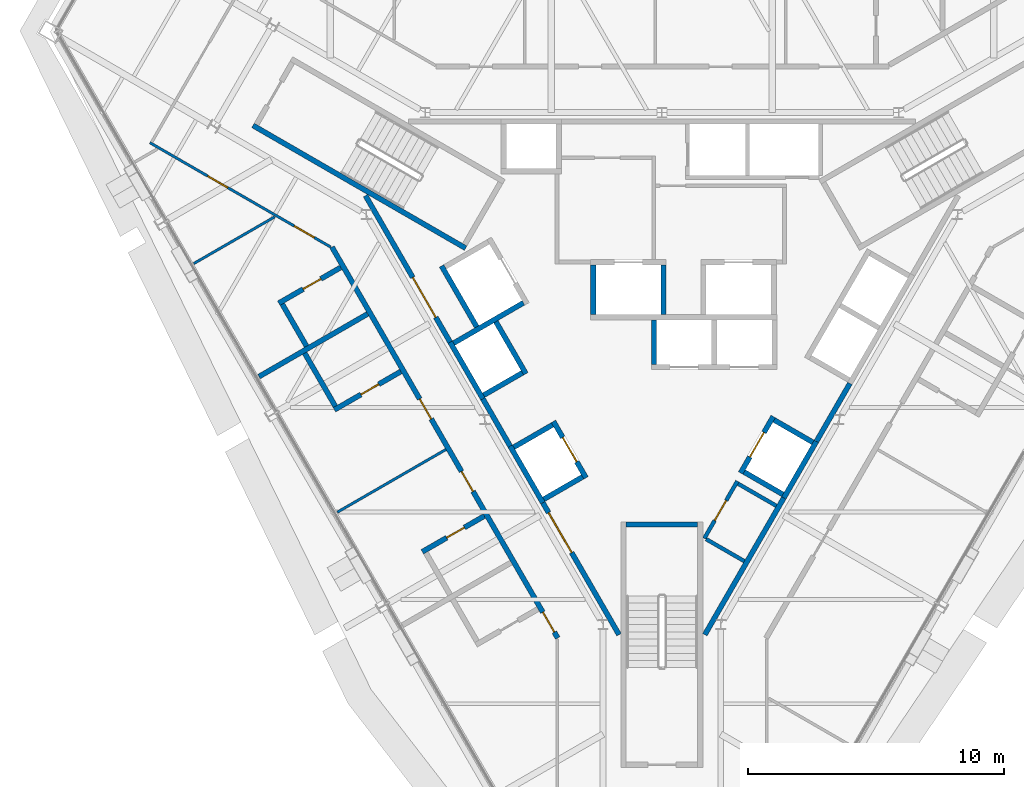
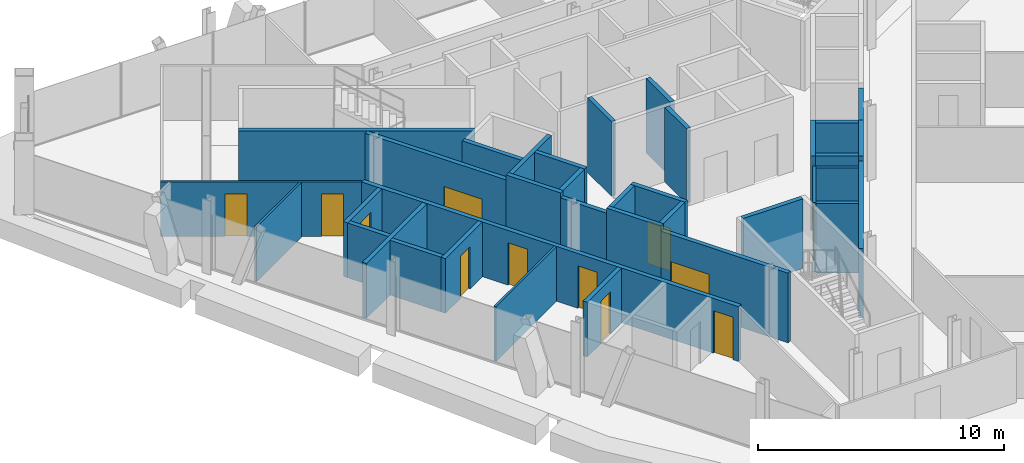
# One storey, part 9 of 13: 36 walls, 13 doors, 13 openings.
"""IFC4 building model written with IfcOpenShell, lengths in metres."""

from ifc_helpers import new_model, si_unit, direction, frame, frame_2d, origin, place, context, subcontext, project, spatial, rectangle, extrude, material, layer, layer_set, type_object, element, fill, save


model = new_model("IFC4")

# Units and contexts
model_context = context("Model", 3, precision=1e-05, world=origin(), true_north=direction((0.0, 1.0)))
body_context = subcontext(model_context, "Body", "Model", "MODEL_VIEW")
ifc_project = project(units=[si_unit("LENGTHUNIT", "METRE"), si_unit("AREAUNIT", "SQUARE_METRE"), si_unit("VOLUMEUNIT", "CUBIC_METRE"), si_unit("PLANEANGLEUNIT", "RADIAN"), si_unit("MASSUNIT", "GRAM", prefix="KILO")], contexts=[model_context])

# Site, building, storey
site_placement = place(None, origin())
site = spatial("IfcSite", under=ifc_project, at=site_placement, CompositionType="ELEMENT")
building_placement = place(site_placement, origin())
building = spatial("IfcBuilding", under=site, at=building_placement, Name="Verrane Prism Tower", CompositionType="ELEMENT")
storey_placement = place(building_placement, frame((0.0, 0.0, 210.10009765625)))
storey = spatial("IfcBuildingStorey", under=building, at=storey_placement, Name="L52", CompositionType="ELEMENT", Elevation=210.10009765625)

# Wall, opening, door
ifc_material_1 = material(Name="Gypsum board partition", Category="other")
ifc_layer_1 = layer(ifc_material_1, 0.199951171875)
ifc_layer_set_1 = layer_set([ifc_layer_1], Name="CW-200 core boundary wall 2 h")
wall_type_1 = type_object("IfcWallType", Name="CW-200 core boundary wall 2 h", PredefinedType="PARTITIONING", material=ifc_layer_set_1)
wall_1_placement = place(storey_placement, frame((-11.590576171875, 4.7548828125, 0.0), z_axis=(0.0, 0.0, 1.0), x_axis=(0.500043977787, -0.866000011708, 0.0)))
wall_1 = element("IfcWall", 1, at=wall_1_placement, inside=storey, type_object=wall_type_1, Name="Core boundary wall CW3-001", PredefinedType="PARTITIONING", context=body_context, shape_type="SweptSolid", body=[
    extrude(rectangle(XDim=6.61669921875, YDim=0.199951171875, at=frame_2d((3.308349609375, 0.0))), origin(), (0.0, 0.0, 1.0), 3.449951171875),
])
opening_1_placement = place(wall_1_placement, frame((3.695068359375, 0.0, 0.0)))
opening_1 = element("IfcOpeningElement", 2, at=opening_1_placement, cuts=wall_1, Name="Opening D51510", PredefinedType="OPENING", context=body_context, shape_type="SweptSolid", body=[
    extrude(rectangle(XDim=1.800048828125, YDim=2.10009765625, at=frame_2d((0.89990234375, 1.050048828125))), frame((0.0, 0.10986328125, 0.0), z_axis=(0.0, -1.0, 0.0), x_axis=(1.0, 0.0, 0.0)), (0.0, 0.0, 1.0), 0.219970703125),
])
ifc_material_2 = material(Name="Timber veneered door leaf", Category="wood")
door_type_1 = type_object("IfcDoorType", Name="DR-1800x2100 FD60 double leaf lift lobby", OperationType="NOTDEFINED", PredefinedType="DOOR", material=ifc_material_2)
door_1_placement = place(opening_1_placement, origin())
door_1 = element("IfcDoor", 3, at=door_1_placement, inside=storey, type_object=door_type_1, Name="Lift lobby door D51510", OperationType="DOUBLE_DOOR_SINGLE_SWING", OverallHeight=2.10009765625, OverallWidth=1.800048828125, PredefinedType="DOOR", context=body_context, shape_type="SweptSolid", body=[
    extrude(rectangle(XDim=1.800048828125, YDim=2.10009765625, at=frame_2d((0.89990234375, 1.050048828125))), frame((0.0, 0.02490234375, 0.0), z_axis=(0.0, -1.0, 0.0), x_axis=(1.0, 0.0, 0.0)), (0.0, 0.0, 1.0), 0.050048828125),
])
fill(opening_1, door_1)

# Wall
wall_2_placement = place(storey_placement, frame((-7.0048828125, -3.18701171875, 0.0), z_axis=(0.0, 0.0, 1.0), x_axis=(0.499689606989, -0.866204535123, 0.0)))
element("IfcWall", 4, at=wall_2_placement, inside=storey, type_object=wall_type_1, Name="Core boundary wall CW3-003", PredefinedType="PARTITIONING", context=body_context, shape_type="SweptSolid", body=[
    extrude(rectangle(XDim=2.144775390625, YDim=0.199951171875, at=frame_2d((1.072265625, 0.0))), origin(), (0.0, 0.0, 1.0), 3.449951171875),
])

# Wall, opening, door
wall_3_placement = place(storey_placement, frame((-4.655029296875, -7.257080078125, 0.0), z_axis=(0.0, 0.0, 1.0), x_axis=(0.499966124405, -0.866044960985, 0.0)))
wall_3 = element("IfcWall", 5, at=wall_3_placement, inside=storey, type_object=wall_type_1, Name="Core boundary wall CW3-004", PredefinedType="PARTITIONING", context=body_context, shape_type="SweptSolid", body=[
    extrude(rectangle(XDim=5.95556640625, YDim=0.199951171875, at=frame_2d((2.977783203125, 0.0))), origin(), (0.0, 0.0, 1.0), 3.449951171875),
])
opening_2_placement = place(wall_3_placement, frame((0.449951171875, 0.0, 0.0)))
opening_2 = element("IfcOpeningElement", 6, at=opening_2_placement, cuts=wall_3, Name="Opening D51511", PredefinedType="OPENING", context=body_context, shape_type="SweptSolid", body=[
    extrude(rectangle(XDim=1.800048828125, YDim=2.10009765625, at=frame_2d((0.89990234375, 1.050048828125))), frame((0.0, 0.10986328125, 0.0), z_axis=(0.0, -1.0, 0.0), x_axis=(1.0, 0.0, 0.0)), (0.0, 0.0, 1.0), 0.219970703125),
])
door_2_placement = place(opening_2_placement, origin())
door_2 = element("IfcDoor", 7, at=door_2_placement, inside=storey, type_object=door_type_1, Name="Lift lobby door D51511", OperationType="DOUBLE_DOOR_SINGLE_SWING", OverallHeight=2.10009765625, OverallWidth=1.800048828125, PredefinedType="DOOR", context=body_context, shape_type="SweptSolid", body=[
    extrude(rectangle(XDim=1.800048828125, YDim=2.10009765625, at=frame_2d((0.89990234375, 1.050048828125))), frame((0.0, 0.02490234375, 0.0), z_axis=(0.0, -1.0, 0.0), x_axis=(1.0, 0.0, 0.0)), (0.0, 0.0, 1.0), 0.050048828125),
])
fill(opening_2, door_2)

# Walls
wall_4_placement = place(storey_placement, frame((1.677490234375, -12.414794921875, 0.0), z_axis=(0.0, 0.0, 1.0), x_axis=(0.500054337157, 0.865994029939, 0.0)))
element("IfcWall", 8, at=wall_4_placement, inside=storey, type_object=wall_type_1, Name="Core boundary wall CW3-006", PredefinedType="PARTITIONING", context=body_context, shape_type="SweptSolid", body=[
    extrude(rectangle(XDim=6.176513671875, YDim=0.199951171875, at=frame_2d((3.08837890625, 0.0))), origin(), (0.0, 0.0, 1.0), 3.449951171875),
])
wall_5_placement = place(storey_placement, frame((6.0419921875, -4.85498046875, 0.0), z_axis=(0.0, 0.0, 1.0), x_axis=(0.500252727967, 0.865879442048, 0.0)))
element("IfcWall", 9, at=wall_5_placement, inside=storey, type_object=wall_type_1, Name="Core boundary wall CW3-007", PredefinedType="PARTITIONING", context=body_context, shape_type="SweptSolid", body=[
    extrude(rectangle(XDim=2.616943359375, YDim=0.199951171875, at=frame_2d((1.30859375, 0.0))), origin(), (0.0, 0.0, 1.0), 3.449951171875),
])
ifc_material_3 = material(Name="Concrete C40/50", Category="concrete")
ifc_layer_2 = layer(ifc_material_3, 0.199951171875)
ifc_layer_set_2 = layer_set([ifc_layer_2], Name="CW-200 stair core wall concrete C40/50 3 h")
wall_type_2 = type_object("IfcWallType", Name="CW-200 stair core wall concrete C40/50 3 h", PredefinedType="PARTITIONING", material=ifc_layer_set_2)
wall_6_placement = place(storey_placement, frame((-7.67822265625, 2.700927734375, 0.0), z_axis=(0.0, 0.0, 1.0), x_axis=(-0.866019993635, 0.500009370536, 0.0)))
element("IfcWall", 10, at=wall_6_placement, inside=storey, type_object=wall_type_2, Name="Stair 2 enclosure wall", PredefinedType="PARTITIONING", context=body_context, shape_type="SweptSolid", body=[
    extrude(rectangle(XDim=9.599853515625, YDim=0.199951171875, at=frame_2d((4.7998046875, 0.0))), origin(), (0.0, 0.0, 1.0), 3.449951171875),
])
wall_7_placement = place(storey_placement, frame((-1.39990234375, -8.10009765625, 0.0), z_axis=(0.0, 0.0, 1.0), x_axis=(1.0, 0.0, 0.0)))
element("IfcWall", 11, at=wall_7_placement, inside=storey, type_object=wall_type_2, Name="Stair 3 enclosure wall", PredefinedType="PARTITIONING", context=body_context, shape_type="SweptSolid", body=[
    extrude(rectangle(XDim=2.7998046875, YDim=0.199951171875, at=frame_2d((1.39990234375, 0.0))), origin(), (0.0, 0.0, 1.0), 3.449951171875),
])
ifc_material_4 = material(Name="Gypsum board shaft wall assembly", Category="other")
ifc_layer_3 = layer(ifc_material_4, 0.199951171875)
ifc_layer_set_3 = layer_set([ifc_layer_3], Name="HW-200 lift shaft wall 2 h")
wall_type_3 = type_object("IfcWallType", Name="HW-200 lift shaft wall 2 h", PredefinedType="PARTITIONING", material=ifc_layer_set_3)
for number, where, z_axis, x_axis, name in (
    (12, (-4.61962890625, -7.118408203125, 0.0), (0.0, 0.0, 1.0), (0.866036909293, 0.499980071345, 0.0), "Lift shaft wall"),
    (13, (-5.794677734375, -5.083251953125, 0.0), (0.0, 0.0, 1.0), (0.866036909293, 0.499980071345, 0.0), "Lift shaft wall"),
    (14, (-6.9697265625, -3.048095703125, 0.0), (0.0, 0.0, 1.0), (0.866036909293, 0.499980071345, 0.0), "Lift shaft wall"),
):
    element("IfcWall", number, at=place(storey_placement, frame(where, z_axis=z_axis, x_axis=x_axis)), inside=storey, type_object=wall_type_3, Name=name, PredefinedType="PARTITIONING", context=body_context, shape_type="SweptSolid", body=[
        extrude(rectangle(XDim=1.75, YDim=0.199951171875, at=frame_2d((0.875, 0.0))), origin(), (0.0, 0.0, 1.0), 3.699951171875),
    ])
wall_8_placement = place(storey_placement, frame((-8.14453125, -1.012939453125, 0.0), z_axis=(0.0, 0.0, 1.0), x_axis=(0.866016494683, 0.500015430699, 0.0)))
element("IfcWall", 15, at=wall_8_placement, inside=storey, type_object=wall_type_3, Name="Lift shaft wall", PredefinedType="PARTITIONING", context=body_context, shape_type="SweptSolid", body=[
    extrude(rectangle(XDim=3.14990234375, YDim=0.199951171875, at=frame_2d((1.574951171875, 0.0))), origin(), (0.0, 0.0, 1.0), 3.699951171875),
])
wall_9_placement = place(storey_placement, frame((4.766357421875, -7.064697265625, 0.0), z_axis=(0.0, 0.0, 1.0), x_axis=(0.499948979701, 0.866054858364, 0.0)))
element("IfcWall", 16, at=wall_9_placement, inside=storey, type_object=wall_type_3, Name="Lift shaft wall", PredefinedType="PARTITIONING", context=body_context, shape_type="SweptSolid", body=[
    extrude(rectangle(XDim=2.550048828125, YDim=0.199951171875, at=frame_2d((1.27490234375, 0.0))), origin(), (0.0, 0.0, 1.0), 3.699951171875),
])

# Wall, opening, door
wall_10_placement = place(storey_placement, frame((3.077392578125, -6.089599609375, 0.0), z_axis=(0.0, 0.0, 1.0), x_axis=(0.500062241894, 0.865989465428, 0.0)))
wall_10 = element("IfcWall", 17, at=wall_10_placement, inside=storey, type_object=wall_type_3, Name="Lift shaft wall", PredefinedType="PARTITIONING", context=body_context, shape_type="SweptSolid", body=[
    extrude(rectangle(XDim=2.550048828125, YDim=0.199951171875, at=frame_2d((1.27490234375, 0.0))), origin(), (0.0, 0.0, 1.0), 3.699951171875),
])
opening_3_placement = place(wall_10_placement, frame((0.72509765625, 0.0, 0.0)))
opening_3 = element("IfcOpeningElement", 18, at=opening_3_placement, cuts=wall_10, Name="Opening D51505", PredefinedType="OPENING", context=body_context, shape_type="SweptSolid", body=[
    extrude(rectangle(XDim=1.10009765625, YDim=2.10009765625, at=frame_2d((0.550048828125, 1.050048828125))), frame((0.0, 0.10986328125, 0.0), z_axis=(0.0, -1.0, 0.0), x_axis=(1.0, 0.0, 0.0)), (0.0, 0.0, 1.0), 0.219970703125),
])
ifc_material_5 = material(Name="Stainless steel sliding landing door", Category="steel")
door_type_2 = type_object("IfcDoorType", Name="LD-1100x2100 lift landing door FD90 sliding", OperationType="NOTDEFINED", PredefinedType="DOOR", material=ifc_material_5)
door_3_placement = place(opening_3_placement, origin())
door_3 = element("IfcDoor", 19, at=door_3_placement, inside=storey, type_object=door_type_2, Name="Bank B lift 3 landing door", OperationType="SLIDING_TO_LEFT", OverallHeight=2.10009765625, OverallWidth=1.10009765625, PredefinedType="DOOR", context=body_context, shape_type="SweptSolid", body=[
    extrude(rectangle(XDim=1.10009765625, YDim=2.10009765625, at=frame_2d((0.550048828125, 1.050048828125))), frame((0.0, 0.02490234375, 0.0), z_axis=(0.0, -1.0, 0.0), x_axis=(1.0, 0.0, 0.0)), (0.0, 0.0, 1.0), 0.050048828125),
])
fill(opening_3, door_3)

# Walls
wall_11_placement = place(storey_placement, frame((0.06494140625, 0.10009765625, 0.0), z_axis=(0.0, 0.0, 1.0), x_axis=(0.0, 1.0, 0.0)))
element("IfcWall", 20, at=wall_11_placement, inside=storey, type_object=wall_type_3, Name="Lift shaft wall", PredefinedType="PARTITIONING", context=body_context, shape_type="SweptSolid", body=[
    extrude(rectangle(XDim=1.949951171875, YDim=0.199951171875, at=frame_2d((0.97509765625, 0.0))), origin(), (0.0, 0.0, 1.0), 3.699951171875),
])
wall_12_placement = place(storey_placement, frame((-0.304931640625, -1.85009765625, 0.0), z_axis=(0.0, 0.0, 1.0), x_axis=(0.0, 1.0, 0.0)))
element("IfcWall", 21, at=wall_12_placement, inside=storey, type_object=wall_type_3, Name="Lift shaft wall", PredefinedType="PARTITIONING", context=body_context, shape_type="SweptSolid", body=[
    extrude(rectangle(XDim=1.75, YDim=0.199951171875, at=frame_2d((0.875, 0.0))), origin(), (0.0, 0.0, 1.0), 3.699951171875),
])
wall_13_placement = place(storey_placement, frame((-2.68505859375, 0.10009765625, 0.0), z_axis=(0.0, 0.0, 1.0), x_axis=(0.0, 1.0, 0.0)))
element("IfcWall", 22, at=wall_13_placement, inside=storey, type_object=wall_type_3, Name="Lift shaft wall", PredefinedType="PARTITIONING", context=body_context, shape_type="SweptSolid", body=[
    extrude(rectangle(XDim=1.949951171875, YDim=0.199951171875, at=frame_2d((0.97509765625, 0.0))), origin(), (0.0, 0.0, 1.0), 3.699951171875),
])

# Wall, opening, door
wall_14_placement = place(storey_placement, frame((-2.967529296875, -6.280029296875, 0.0), z_axis=(0.0, 0.0, 1.0), x_axis=(-0.499990435942, 0.866030925526, 0.0)))
wall_14 = element("IfcWall", 23, at=wall_14_placement, inside=storey, type_object=wall_type_3, Name="Lift shaft wall", PredefinedType="PARTITIONING", context=body_context, shape_type="SweptSolid", body=[
    extrude(rectangle(XDim=2.5498046875, YDim=0.199951171875, at=frame_2d((1.27490234375, 0.0))), origin(), (0.0, 0.0, 1.0), 3.699951171875),
])
opening_4_placement = place(wall_14_placement, frame((0.72509765625, 0.0, 0.0)))
opening_4 = element("IfcOpeningElement", 24, at=opening_4_placement, cuts=wall_14, Name="Opening D51506", PredefinedType="OPENING", context=body_context, shape_type="SweptSolid", body=[
    extrude(rectangle(XDim=1.10009765625, YDim=2.10009765625, at=frame_2d((0.550048828125, 1.050048828125))), frame((0.0, 0.10986328125, 0.0), z_axis=(0.0, -1.0, 0.0), x_axis=(1.0, 0.0, 0.0)), (0.0, 0.0, 1.0), 0.219970703125),
])
door_4_placement = place(opening_4_placement, origin())
door_4 = element("IfcDoor", 25, at=door_4_placement, inside=storey, type_object=door_type_2, Name="Bank B lift 4 landing door", OperationType="SLIDING_TO_RIGHT", OverallHeight=2.10009765625, OverallWidth=1.10009765625, PredefinedType="DOOR", context=body_context, shape_type="SweptSolid", body=[
    extrude(rectangle(XDim=1.10009765625, YDim=2.10009765625, at=frame_2d((0.550048828125, 1.050048828125))), frame((0.0, 0.02490234375, 0.0), z_axis=(0.0, -1.0, 0.0), x_axis=(1.0, 0.0, 0.0)), (0.0, 0.0, 1.0), 0.050048828125),
])
fill(opening_4, door_4)

# Walls
wall_15_placement = place(storey_placement, frame((-5.317626953125, -2.209716796875, 0.0), z_axis=(0.0, 0.0, 1.0), x_axis=(-0.499938297808, 0.866061024631, 0.0)))
element("IfcWall", 26, at=wall_15_placement, inside=storey, type_object=wall_type_3, Name="Lift shaft wall", PredefinedType="PARTITIONING", context=body_context, shape_type="SweptSolid", body=[
    extrude(rectangle(XDim=2.349853515625, YDim=0.199951171875, at=frame_2d((1.1748046875, 0.0))), origin(), (0.0, 0.0, 1.0), 3.699951171875),
])
wall_16_placement = place(storey_placement, frame((-7.241943359375, -0.37646484375, 0.0), z_axis=(0.0, 0.0, 1.0), x_axis=(-0.499996545922, 0.866027397988, 0.0)))
element("IfcWall", 27, at=wall_16_placement, inside=storey, type_object=wall_type_3, Name="Lift shaft wall", PredefinedType="PARTITIONING", context=body_context, shape_type="SweptSolid", body=[
    extrude(rectangle(XDim=2.75, YDim=0.199951171875, at=frame_2d((1.375, 0.0))), origin(), (0.0, 0.0, 1.0), 3.699951171875),
])
for number, where, z_axis, x_axis, name in (
    (28, (-4.65625, -7.255126953125, 0.0), (0.0, 0.0, 1.0), (-0.499990435942, 0.866030925526, 0.0), "Lift shaft wall"),
    (29, (-7.00634765625, -3.184814453125, 0.0), (0.0, 0.0, 1.0), (-0.499990435942, 0.866030925526, 0.0), "Lift shaft wall"),
):
    element("IfcWall", number, at=place(storey_placement, frame(where, z_axis=z_axis, x_axis=x_axis)), inside=storey, type_object=wall_type_3, Name=name, PredefinedType="PARTITIONING", context=body_context, shape_type="SweptSolid", body=[
        extrude(rectangle(XDim=2.5498046875, YDim=0.199951171875, at=frame_2d((1.27490234375, 0.0))), origin(), (0.0, 0.0, 1.0), 3.699951171875),
    ])
wall_17_placement = place(storey_placement, frame((5.904541015625, -4.892822265625, 0.0), z_axis=(0.0, 0.0, 1.0), x_axis=(-0.866002029911, 0.500040482552, 0.0)))
element("IfcWall", 30, at=wall_17_placement, inside=storey, type_object=wall_type_3, Name="Lift shaft wall", PredefinedType="PARTITIONING", context=body_context, shape_type="SweptSolid", body=[
    extrude(rectangle(XDim=1.749755859375, YDim=0.199951171875, at=frame_2d((0.875, 0.0))), origin(), (0.0, 0.0, 1.0), 3.699951171875),
])
wall_18_placement = place(storey_placement, frame((4.729736328125, -6.927978515625, 0.0), z_axis=(0.0, 0.0, 1.0), x_axis=(-0.866036909293, 0.499980071345, 0.0)))
element("IfcWall", 31, at=wall_18_placement, inside=storey, type_object=wall_type_3, Name="Lift shaft wall", PredefinedType="PARTITIONING", context=body_context, shape_type="SweptSolid", body=[
    extrude(rectangle(XDim=1.75, YDim=0.199951171875, at=frame_2d((0.875, 0.0))), origin(), (0.0, 0.0, 1.0), 3.699951171875),
])

# Wall, openings, doors
ifc_material_6 = material(Name="Gypsum board partition", Category="other")
ifc_layer_4 = layer(ifc_material_6, 0.10009765625)
ifc_layer_set_4 = layer_set([ifc_layer_4], Name="PW-100 room partition")
wall_type_4 = type_object("IfcWallType", Name="PW-100 room partition", PredefinedType="PARTITIONING", material=ifc_layer_set_4)
wall_19_placement = place(storey_placement, frame((-12.95166015625, 2.744384765625, 0.0), z_axis=(0.0, 0.0, 1.0), x_axis=(-0.86608949446, 0.499888975259, 0.0)))
wall_19 = element("IfcWall", 32, at=wall_19_placement, inside=storey, type_object=wall_type_4, Name="Room partition 003", PredefinedType="PARTITIONING", context=body_context, shape_type="SweptSolid", body=[
    extrude(rectangle(XDim=8.164794921875, YDim=0.10009765625, at=frame_2d((4.08251953125, 0.0))), origin(), (0.0, 0.0, 1.0), 2.712890625),
])
opening_5_placement = place(wall_19_placement, frame((4.64990234375, 0.0, 0.0)))
opening_5 = element("IfcOpeningElement", 33, at=opening_5_placement, cuts=wall_19, Name="Opening D51014", PredefinedType="OPENING", context=body_context, shape_type="SweptSolid", body=[
    extrude(rectangle(XDim=0.89990234375, YDim=2.10009765625, at=frame_2d((0.449951171875, 1.050048828125))), frame((0.0, 0.06005859375, 0.0), z_axis=(0.0, -1.0, 0.0), x_axis=(1.0, 0.0, 0.0)), (0.0, 0.0, 1.0), 0.1201171875),
])
opening_6_placement = place(wall_19_placement, frame((0.74609375, 0.0, 0.0)))
opening_6 = element("IfcOpeningElement", 34, at=opening_6_placement, cuts=wall_19, Name="Opening D51015", PredefinedType="OPENING", context=body_context, shape_type="SweptSolid", body=[
    extrude(rectangle(XDim=0.89990234375, YDim=2.10009765625, at=frame_2d((0.449951171875, 1.050048828125))), frame((0.0, 0.06005859375, 0.0), z_axis=(0.0, -1.0, 0.0), x_axis=(1.0, 0.0, 0.0)), (0.0, 0.0, 1.0), 0.1201171875),
])
ifc_material_7 = material(Name="Timber veneered door leaf", Category="wood")
door_type_3 = type_object("IfcDoorType", Name="DR-900x2100 single leaf inner", OperationType="NOTDEFINED", PredefinedType="DOOR", material=ifc_material_7)
door_5_placement = place(opening_6_placement, origin())
door_5 = element("IfcDoor", 35, at=door_5_placement, inside=storey, type_object=door_type_3, Name="Bedroom door", OperationType="SINGLE_SWING_RIGHT", OverallHeight=2.10009765625, OverallWidth=0.89990234375, PredefinedType="DOOR", context=body_context, shape_type="SweptSolid", body=[
    extrude(rectangle(XDim=0.89990234375, YDim=2.10009765625, at=frame_2d((0.449951171875, 1.050048828125))), frame((0.0, 0.02490234375, 0.0), z_axis=(0.0, -1.0, 0.0), x_axis=(1.0, 0.0, 0.0)), (0.0, 0.0, 1.0), 0.050048828125),
])
fill(opening_6, door_5)
ifc_material_8 = material(Name="Timber veneered door leaf", Category="wood")
door_type_4 = type_object("IfcDoorType", Name="DR-900x2100 single leaf unit", OperationType="NOTDEFINED", PredefinedType="DOOR", material=ifc_material_8)
door_6_placement = place(opening_5_placement, origin())
door_6 = element("IfcDoor", 36, at=door_6_placement, inside=storey, type_object=door_type_4, Name="Kitchen door", OperationType="SINGLE_SWING_LEFT", OverallHeight=2.10009765625, OverallWidth=0.89990234375, PredefinedType="DOOR", context=body_context, shape_type="SweptSolid", body=[
    extrude(rectangle(XDim=0.89990234375, YDim=2.10009765625, at=frame_2d((0.449951171875, 1.050048828125))), frame((0.0, 0.02490234375, 0.0), z_axis=(0.0, -1.0, 0.0), x_axis=(1.0, 0.0, 0.0)), (0.0, 0.0, 1.0), 0.050048828125),
])
fill(opening_5, door_6)

# Walls
wall_20_placement = place(storey_placement, frame((-18.3076171875, 2.09912109375, 0.0), z_axis=(0.0, 0.0, 1.0), x_axis=(0.866054218355, 0.499950088379, 0.0)))
element("IfcWall", 37, at=wall_20_placement, inside=storey, type_object=wall_type_4, Name="Room partition 004", PredefinedType="PARTITIONING", context=body_context, shape_type="SweptSolid", body=[
    extrude(rectangle(XDim=3.651611328125, YDim=0.10009765625, at=frame_2d((1.82568359375, 0.0))), origin(), (0.0, 0.0, 1.0), 2.712890625),
])
wall_21_placement = place(storey_placement, frame((-12.694091796875, -7.624267578125, 0.0), z_axis=(0.0, 0.0, 1.0), x_axis=(0.865991567799, 0.500058601068, 0.0)))
element("IfcWall", 38, at=wall_21_placement, inside=storey, type_object=wall_type_4, Name="Room partition 012", PredefinedType="PARTITIONING", context=body_context, shape_type="SweptSolid", body=[
    extrude(rectangle(XDim=4.90380859375, YDim=0.10009765625, at=frame_2d((2.451904296875, 0.0))), origin(), (0.0, 0.0, 1.0), 2.712890625),
])
ifc_material_9 = material(Name="Gypsum board partition", Category="other")
ifc_layer_5 = layer(ifc_material_9, 0.199951171875)
ifc_layer_set_5 = layer_set([ifc_layer_5], Name="PW-200 plumbing wall")
wall_type_5 = type_object("IfcWallType", Name="PW-200 plumbing wall", PredefinedType="PARTITIONING", material=ifc_layer_set_5)
wall_22_placement = place(storey_placement, frame((-15.755859375, -2.321044921875, 0.0), z_axis=(0.0, 0.0, 1.0), x_axis=(0.866042025588, 0.499971209087, 0.0)))
element("IfcWall", 39, at=wall_22_placement, inside=storey, type_object=wall_type_5, Name="Plumbing wall 006", PredefinedType="PARTITIONING", context=body_context, shape_type="SweptSolid", body=[
    extrude(rectangle(XDim=4.899169921875, YDim=0.199951171875, at=frame_2d((2.44970703125, 0.0))), origin(), (0.0, 0.0, 1.0), 2.712890625),
])
wall_23_placement = place(storey_placement, frame((-14.846923828125, 0.513427734375, 0.0), z_axis=(0.0, 0.0, 1.0), x_axis=(0.499911523785, -0.866076479525, 0.0)))
element("IfcWall", 40, at=wall_23_placement, inside=storey, type_object=wall_type_5, Name="Plumbing wall 007", PredefinedType="PARTITIONING", context=body_context, shape_type="SweptSolid", body=[
    extrude(rectangle(XDim=1.900146484375, YDim=0.199951171875, at=frame_2d((0.9501953125, 0.0))), origin(), (0.0, 0.0, 1.0), 2.712890625),
])

# Wall, opening, door
wall_24_placement = place(storey_placement, frame((-12.56298828125, 1.947509765625, 0.0), z_axis=(0.0, 0.0, 1.0), x_axis=(-0.866041588165, -0.499971966783, 0.0)))
wall_24 = element("IfcWall", 41, at=wall_24_placement, inside=storey, type_object=wall_type_5, Name="Plumbing wall 008", PredefinedType="PARTITIONING", context=body_context, shape_type="SweptSolid", body=[
    extrude(rectangle(XDim=2.795166015625, YDim=0.199951171875, at=frame_2d((1.3974609375, 0.0))), origin(), (0.0, 0.0, 1.0), 2.712890625),
])
opening_7_placement = place(wall_24_placement, frame((0.89501953125, 0.0, 0.0)))
opening_7 = element("IfcOpeningElement", 42, at=opening_7_placement, cuts=wall_24, Name="Opening D51016", PredefinedType="OPENING", context=body_context, shape_type="SweptSolid", body=[
    extrude(rectangle(XDim=0.800048828125, YDim=2.10009765625, at=frame_2d((0.39990234375, 1.050048828125))), frame((0.0, 0.10986328125, 0.0), z_axis=(0.0, -1.0, 0.0), x_axis=(1.0, 0.0, 0.0)), (0.0, 0.0, 1.0), 0.219970703125),
])
ifc_material_10 = material(Name="Timber veneered door leaf", Category="wood")
door_type_5 = type_object("IfcDoorType", Name="DR-800x2100 single leaf bath", OperationType="NOTDEFINED", PredefinedType="DOOR", material=ifc_material_10)
door_7_placement = place(opening_7_placement, origin())
door_7 = element("IfcDoor", 43, at=door_7_placement, inside=storey, type_object=door_type_5, Name="Bathroom door", OperationType="SINGLE_SWING_LEFT", OverallHeight=2.10009765625, OverallWidth=0.800048828125, PredefinedType="DOOR", context=body_context, shape_type="SweptSolid", body=[
    extrude(rectangle(XDim=0.800048828125, YDim=2.10009765625, at=frame_2d((0.39990234375, 1.050048828125))), frame((0.0, 0.02490234375, 0.0), z_axis=(0.0, -1.0, 0.0), x_axis=(1.0, 0.0, 0.0)), (0.0, 0.0, 1.0), 0.050048828125),
])
fill(opening_7, door_7)

# Wall
wall_25_placement = place(storey_placement, frame((-13.969970703125, -1.405517578125, 0.0), z_axis=(0.0, 0.0, 1.0), x_axis=(0.499784123135, -0.866150004481, 0.0)))
element("IfcWall", 44, at=wall_25_placement, inside=storey, type_object=wall_type_5, Name="Plumbing wall 009", PredefinedType="PARTITIONING", context=body_context, shape_type="SweptSolid", body=[
    extrude(rectangle(XDim=2.39892578125, YDim=0.199951171875, at=frame_2d((1.199462890625, 0.0))), origin(), (0.0, 0.0, 1.0), 2.712890625),
])

# Wall, openings, doors
wall_26_placement = place(storey_placement, frame((-4.074951171875, -12.54541015625, 0.0), z_axis=(0.0, 0.0, 1.0), x_axis=(-0.499999743747, 0.866025551732, 0.0)))
wall_26 = element("IfcWall", 45, at=wall_26_placement, inside=storey, type_object=wall_type_5, Name="Plumbing wall 010", PredefinedType="PARTITIONING", context=body_context, shape_type="SweptSolid", body=[
    extrude(rectangle(XDim=17.65625, YDim=0.199951171875, at=frame_2d((8.828125, 0.0))), origin(), (0.0, 0.0, 1.0), 2.712890625),
])
opening_8_placement = place(wall_26_placement, frame((9.89501953125, 0.0, 0.0)))
opening_8 = element("IfcOpeningElement", 46, at=opening_8_placement, cuts=wall_26, Name="Opening D51017", PredefinedType="OPENING", context=body_context, shape_type="SweptSolid", body=[
    extrude(rectangle(XDim=0.89990234375, YDim=2.10009765625, at=frame_2d((0.449951171875, 1.050048828125))), frame((0.0, 0.10986328125, 0.0), z_axis=(0.0, -1.0, 0.0), x_axis=(1.0, 0.0, 0.0)), (0.0, 0.0, 1.0), 0.219970703125),
])
opening_9_placement = place(wall_26_placement, frame((6.6220703125, 0.0, 0.0)))
opening_9 = element("IfcOpeningElement", 47, at=opening_9_placement, cuts=wall_26, Name="Opening D51019", PredefinedType="OPENING", context=body_context, shape_type="SweptSolid", body=[
    extrude(rectangle(XDim=0.89990234375, YDim=2.10009765625, at=frame_2d((0.449951171875, 1.050048828125))), frame((0.0, 0.10986328125, 0.0), z_axis=(0.0, -1.0, 0.0), x_axis=(1.0, 0.0, 0.0)), (0.0, 0.0, 1.0), 0.219970703125),
])
opening_10_placement = place(wall_26_placement, frame((0.26806640625, 0.0, 0.0)))
opening_10 = element("IfcOpeningElement", 48, at=opening_10_placement, cuts=wall_26, Name="Opening D51021", PredefinedType="OPENING", context=body_context, shape_type="SweptSolid", body=[
    extrude(rectangle(XDim=0.89990234375, YDim=2.10009765625, at=frame_2d((0.449951171875, 1.050048828125))), frame((0.0, 0.10986328125, 0.0), z_axis=(0.0, -1.0, 0.0), x_axis=(1.0, 0.0, 0.0)), (0.0, 0.0, 1.0), 0.219970703125),
])
door_8_placement = place(opening_8_placement, origin())
door_8 = element("IfcDoor", 49, at=door_8_placement, inside=storey, type_object=door_type_3, Name="Master Bedroom door", OperationType="SINGLE_SWING_RIGHT", OverallHeight=2.10009765625, OverallWidth=0.89990234375, PredefinedType="DOOR", context=body_context, shape_type="SweptSolid", body=[
    extrude(rectangle(XDim=0.89990234375, YDim=2.10009765625, at=frame_2d((0.449951171875, 1.050048828125))), frame((0.0, 0.02490234375, 0.0), z_axis=(0.0, -1.0, 0.0), x_axis=(1.0, 0.0, 0.0)), (0.0, 0.0, 1.0), 0.050048828125),
])
fill(opening_8, door_8)
door_9_placement = place(opening_9_placement, origin())
door_9 = element("IfcDoor", 50, at=door_9_placement, inside=storey, type_object=door_type_3, Name="Bedroom door", OperationType="SINGLE_SWING_RIGHT", OverallHeight=2.10009765625, OverallWidth=0.89990234375, PredefinedType="DOOR", context=body_context, shape_type="SweptSolid", body=[
    extrude(rectangle(XDim=0.89990234375, YDim=2.10009765625, at=frame_2d((0.449951171875, 1.050048828125))), frame((0.0, 0.02490234375, 0.0), z_axis=(0.0, -1.0, 0.0), x_axis=(1.0, 0.0, 0.0)), (0.0, 0.0, 1.0), 0.050048828125),
])
fill(opening_9, door_9)
door_10_placement = place(opening_10_placement, origin())
door_10 = element("IfcDoor", 51, at=door_10_placement, inside=storey, type_object=door_type_3, Name="Bedroom door", OperationType="SINGLE_SWING_RIGHT", OverallHeight=2.10009765625, OverallWidth=0.89990234375, PredefinedType="DOOR", context=body_context, shape_type="SweptSolid", body=[
    extrude(rectangle(XDim=0.89990234375, YDim=2.10009765625, at=frame_2d((0.449951171875, 1.050048828125))), frame((0.0, 0.02490234375, 0.0), z_axis=(0.0, -1.0, 0.0), x_axis=(1.0, 0.0, 0.0)), (0.0, 0.0, 1.0), 0.050048828125),
])
fill(opening_10, door_10)

# Wall, opening, door
wall_27_placement = place(storey_placement, frame((-12.8076171875, -3.619873046875, 0.0), z_axis=(0.0, 0.0, 1.0), x_axis=(0.866134024916, 0.499811815469, 0.0)))
wall_27 = element("IfcWall", 52, at=wall_27_placement, inside=storey, type_object=wall_type_5, Name="Plumbing wall 011", PredefinedType="PARTITIONING", context=body_context, shape_type="SweptSolid", body=[
    extrude(rectangle(XDim=2.995849609375, YDim=0.199951171875, at=frame_2d((1.498046875, 0.0))), origin(), (0.0, 0.0, 1.0), 2.712890625),
])
opening_11_placement = place(wall_27_placement, frame((1.199951171875, 0.0, 0.0)))
opening_11 = element("IfcOpeningElement", 53, at=opening_11_placement, cuts=wall_27, Name="Opening D51018", PredefinedType="OPENING", context=body_context, shape_type="SweptSolid", body=[
    extrude(rectangle(XDim=0.800048828125, YDim=2.10009765625, at=frame_2d((0.39990234375, 1.050048828125))), frame((0.0, 0.10986328125, 0.0), z_axis=(0.0, -1.0, 0.0), x_axis=(1.0, 0.0, 0.0)), (0.0, 0.0, 1.0), 0.219970703125),
])
door_11_placement = place(opening_11_placement, origin())
door_11 = element("IfcDoor", 54, at=door_11_placement, inside=storey, type_object=door_type_5, Name="Master Bathroom door", OperationType="SINGLE_SWING_RIGHT", OverallHeight=2.10009765625, OverallWidth=0.800048828125, PredefinedType="DOOR", context=body_context, shape_type="SweptSolid", body=[
    extrude(rectangle(XDim=0.800048828125, YDim=2.10009765625, at=frame_2d((0.39990234375, 1.050048828125))), frame((0.0, 0.02490234375, 0.0), z_axis=(0.0, -1.0, 0.0), x_axis=(1.0, 0.0, 0.0)), (0.0, 0.0, 1.0), 0.050048828125),
])
fill(opening_11, door_11)

wall_28_placement = place(storey_placement, frame((-6.949951171875, -7.775390625, 0.0), z_axis=(0.0, 0.0, 1.0), x_axis=(-0.866003766563, -0.500037474894, 0.0)))
wall_28 = element("IfcWall", 55, at=wall_28_placement, inside=storey, type_object=wall_type_5, Name="Plumbing wall 016", PredefinedType="PARTITIONING", context=body_context, shape_type="SweptSolid", body=[
    extrude(rectangle(XDim=2.795166015625, YDim=0.199951171875, at=frame_2d((1.3974609375, 0.0))), origin(), (0.0, 0.0, 1.0), 2.712890625),
])
opening_12_placement = place(wall_28_placement, frame((0.89501953125, 0.0, 0.0)))
opening_12 = element("IfcOpeningElement", 56, at=opening_12_placement, cuts=wall_28, Name="Opening D51020", PredefinedType="OPENING", context=body_context, shape_type="SweptSolid", body=[
    extrude(rectangle(XDim=0.800048828125, YDim=2.10009765625, at=frame_2d((0.39990234375, 1.050048828125))), frame((0.0, 0.10986328125, 0.0), z_axis=(0.0, -1.0, 0.0), x_axis=(1.0, 0.0, 0.0)), (0.0, 0.0, 1.0), 0.219970703125),
])
door_12_placement = place(opening_12_placement, origin())
door_12 = element("IfcDoor", 57, at=door_12_placement, inside=storey, type_object=door_type_5, Name="Bathroom door", OperationType="SINGLE_SWING_LEFT", OverallHeight=2.10009765625, OverallWidth=0.800048828125, PredefinedType="DOOR", context=body_context, shape_type="SweptSolid", body=[
    extrude(rectangle(XDim=0.800048828125, YDim=2.10009765625, at=frame_2d((0.39990234375, 1.050048828125))), frame((0.0, 0.02490234375, 0.0), z_axis=(0.0, -1.0, 0.0), x_axis=(1.0, 0.0, 0.0)), (0.0, 0.0, 1.0), 0.050048828125),
])
fill(opening_12, door_12)

ifc_material_11 = material(Name="Gypsum board partition", Category="other")
ifc_layer_6 = layer(ifc_material_11, 0.14990234375)
ifc_layer_set_6 = layer_set([ifc_layer_6], Name="RS-150 riser enclosure wall 1 h")
wall_type_6 = type_object("IfcWallType", Name="RS-150 riser enclosure wall 1 h", PredefinedType="PARTITIONING", material=ifc_layer_set_6)
wall_29_placement = place(storey_placement, frame((2.950439453125, -6.408935546875, 0.0), z_axis=(0.0, 0.0, 1.0), x_axis=(-0.499978610854, -0.866037752461, 0.0)))
wall_29 = element("IfcWall", 58, at=wall_29_placement, inside=storey, type_object=wall_type_6, Name="Riser wall RS3-003", PredefinedType="PARTITIONING", context=body_context, shape_type="SweptSolid", body=[
    extrude(rectangle(XDim=2.5849609375, YDim=0.14990234375, at=frame_2d((1.29248046875, 0.0))), origin(), (0.0, 0.0, 1.0), 3.449951171875),
])
opening_13_placement = place(wall_29_placement, frame((0.875, 0.0, 0.0)))
opening_13 = element("IfcOpeningElement", 59, at=opening_13_placement, cuts=wall_29, Name="Opening D51516", PredefinedType="OPENING", context=body_context, shape_type="SweptSolid", body=[
    extrude(rectangle(XDim=0.89990234375, YDim=2.10009765625, at=frame_2d((0.449951171875, 1.050048828125))), frame((0.0, 0.0849609375, 0.0), z_axis=(0.0, -1.0, 0.0), x_axis=(1.0, 0.0, 0.0)), (0.0, 0.0, 1.0), 0.169921875),
])
ifc_material_12 = material(Name="Timber veneered door leaf", Category="wood")
door_type_6 = type_object("IfcDoorType", Name="DR-900x2100 FD20 single leaf store", OperationType="NOTDEFINED", PredefinedType="DOOR", material=ifc_material_12)
door_13_placement = place(opening_13_placement, origin())
door_13 = element("IfcDoor", 60, at=door_13_placement, inside=storey, type_object=door_type_6, Name="Room door D51516", OperationType="SINGLE_SWING_RIGHT", OverallHeight=2.10009765625, OverallWidth=0.89990234375, PredefinedType="DOOR", context=body_context, shape_type="SweptSolid", body=[
    extrude(rectangle(XDim=0.89990234375, YDim=2.10009765625, at=frame_2d((0.449951171875, 1.050048828125))), frame((0.0, 0.02490234375, 0.0), z_axis=(0.0, -1.0, 0.0), x_axis=(1.0, 0.0, 0.0)), (0.0, 0.0, 1.0), 0.050048828125),
])
fill(opening_13, door_13)

# Walls
for number, where, z_axis, x_axis, name in (
    (61, (1.72802734375, -8.676513671875, 0.0), (0.0, 0.0, 1.0), (0.866084276826, -0.499898015034, 0.0), "Riser wall RS3-004"),
    (62, (2.97802734375, -6.511474609375, 0.0), (0.0, 0.0, 1.0), (0.866084276826, -0.499898015034, 0.0), "Riser wall RS3-005"),
):
    element("IfcWall", number, at=place(storey_placement, frame(where, z_axis=z_axis, x_axis=x_axis)), inside=storey, type_object=wall_type_6, Name=name, PredefinedType="PARTITIONING", context=body_context, shape_type="SweptSolid", body=[
        extrude(rectangle(XDim=1.725341796875, YDim=0.14990234375, at=frame_2d((0.86279296875, 0.0))), origin(), (0.0, 0.0, 1.0), 3.449951171875),
    ])

save(model, "model.ifc")
